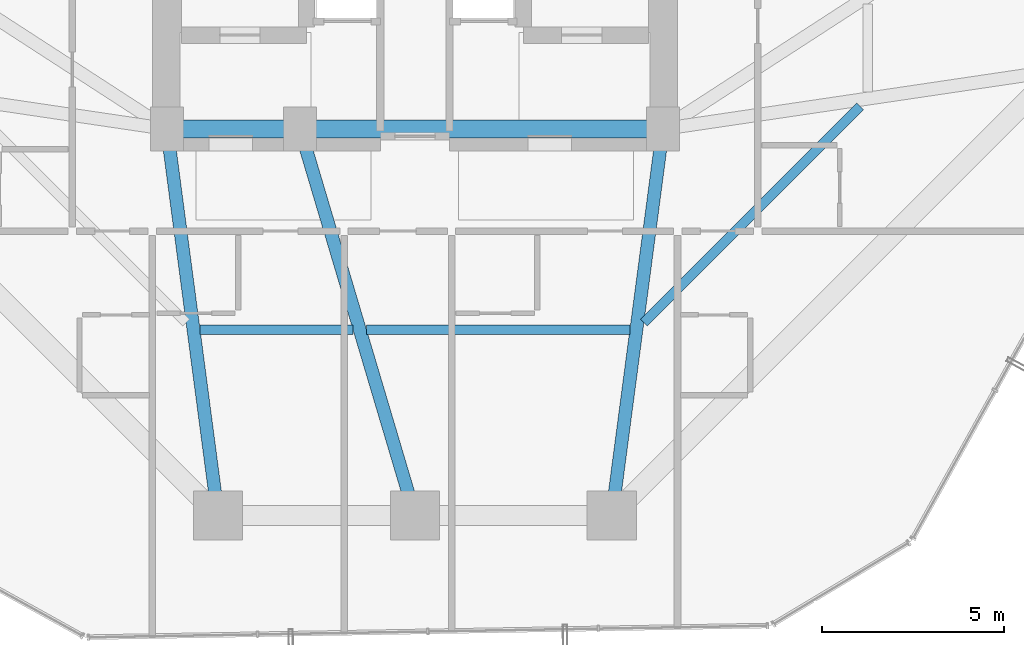
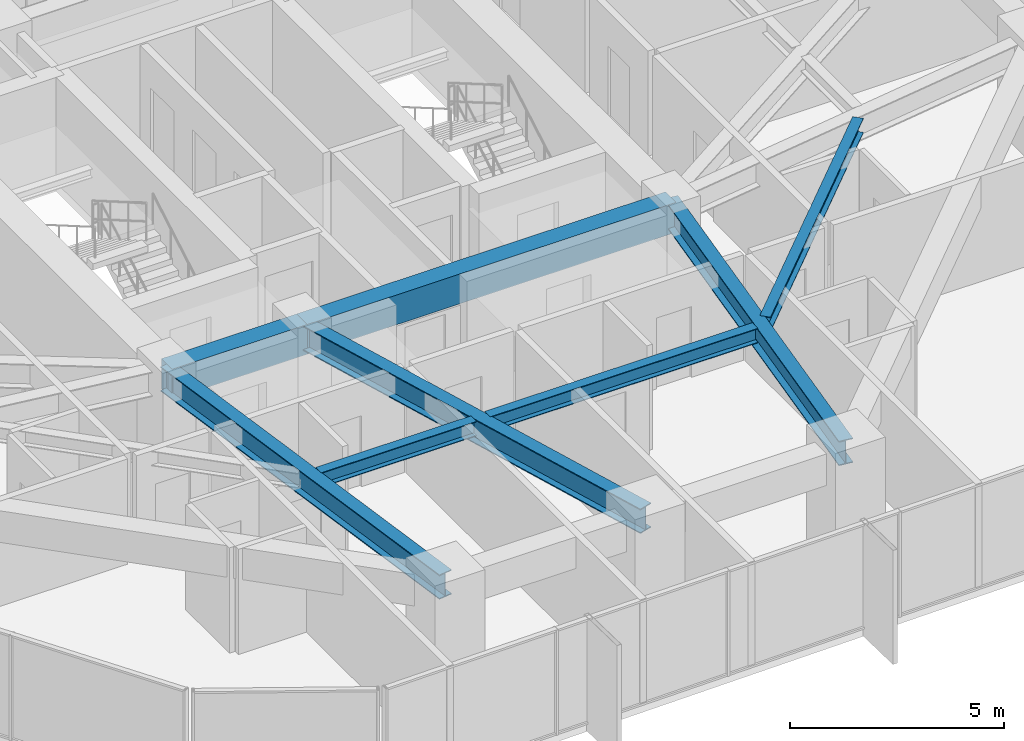
# One storey, part 9 of 39: 8 beams.
"""IFC4 building model written with IfcOpenShell, lengths in metres."""

from ifc_helpers import new_model, si_unit, direction, frame, origin, origin_2d, place, context, subcontext, project, spatial, rectangle, i_section, extrude, material, material_profile, profile_set, type_object, element, save


model = new_model("IFC4")

# Units and contexts
model_context = context("Model", 3, precision=1e-05, world=origin(), true_north=direction((0.0, 1.0)))
body_context = subcontext(model_context, "Body", "Model", "MODEL_VIEW")
ifc_project = project(units=[si_unit("LENGTHUNIT", "METRE"), si_unit("AREAUNIT", "SQUARE_METRE"), si_unit("VOLUMEUNIT", "CUBIC_METRE"), si_unit("PLANEANGLEUNIT", "RADIAN"), si_unit("MASSUNIT", "GRAM", prefix="KILO")], contexts=[model_context])

# Site, building, storey
site_placement = place(None, origin())
site = spatial("IfcSite", under=ifc_project, at=site_placement, CompositionType="ELEMENT")
building_placement = place(site_placement, origin())
building = spatial("IfcBuilding", under=site, at=building_placement, Name="Veraguas Prism Commons", CompositionType="ELEMENT")
storey_placement = place(building_placement, frame((0.0, 0.0, 27.300048828125)))
storey = spatial("IfcBuildingStorey", under=building, at=storey_placement, Name="L06", CompositionType="ELEMENT", Elevation=27.300048828125)

# Beams
ifc_material_1 = material(Name="Concrete C50/60", Category="concrete")
ifc_material_profile_1 = material_profile(ifc_material_1, rectangle(XDim=0.5, YDim=0.85009765625, at=origin_2d()), Name="RC500X850")
ifc_profile_set_1 = profile_set([ifc_material_profile_1], Name="Concrete C50/60")
beam_type_1 = type_object("IfcBeamType", Name="Core Coupling Beam RC 500x850", PredefinedType="BEAM", material=ifc_profile_set_1)
beam_1_placement = place(storey_placement, frame((17.199951171875, 17.0, 2.574951171875), z_axis=(1.0, 0.0, 0.0), x_axis=(0.0, 1.0, 0.0)))
element("IfcBeam", 1, at=beam_1_placement, inside=storey, type_object=beam_type_1, Name="Core Coupling Beam L06-CRS1", PredefinedType="BEAM", context=body_context, shape_type="SweptSolid", body=[
    extrude(rectangle(XDim=0.5, YDim=0.85009765625, at=origin_2d()), origin(), (0.0, 0.0, 1.0), 3.650146484375),
])
beam_2_placement = place(storey_placement, frame((20.85009765625, 17.0, 2.574951171875), z_axis=(1.0, 0.0, 0.0), x_axis=(0.0, 1.0, 0.0)))
element("IfcBeam", 2, at=beam_2_placement, inside=storey, type_object=beam_type_1, Name="Core Coupling Beam L06-CRS2", PredefinedType="BEAM", context=body_context, shape_type="SweptSolid", body=[
    extrude(rectangle(XDim=0.5, YDim=0.85009765625, at=origin_2d()), origin(), (0.0, 0.0, 1.0), 9.949951171875),
])
ifc_material_2 = material(Name="Steel ASTM A992 Grade 50", Category="steel")
ifc_material_profile_2 = material_profile(ifc_material_2, i_section(OverallWidth=0.260986328125, OverallDepth=0.419921875, WebThickness=0.01171875, FlangeThickness=0.019287109375, at=origin_2d()), Name="W410X114")
ifc_profile_set_2 = profile_set([ifc_material_profile_2], Name="Steel ASTM A992 Grade 50")
beam_type_2 = type_object("IfcBeamType", Name="Lower Floor Joist W410x114", PredefinedType="JOIST", material=ifc_profile_set_2)
beam_3_placement = place(storey_placement, frame((18.10546875, 11.488037109375, 2.7900390625), z_axis=(1.0, 0.0, 0.0), x_axis=(0.0, 1.0, 0.0)))
element("IfcBeam", 3, at=beam_3_placement, inside=storey, type_object=beam_type_2, Name="Composite Floor Joist L06-JS10", PredefinedType="JOIST", context=body_context, shape_type="SweptSolid", body=[
    extrude(i_section(OverallWidth=0.260986328125, OverallDepth=0.419921875, WebThickness=0.01171875, FlangeThickness=0.019287109375, at=origin_2d()), origin(), (0.0, 0.0, 1.0), 4.198974609375),
])
beam_4_placement = place(storey_placement, frame((22.671630859375, 11.488037109375, 2.7900390625), z_axis=(1.0, 0.0, 0.0), x_axis=(0.0, 1.0, 0.0)))
element("IfcBeam", 4, at=beam_4_placement, inside=storey, type_object=beam_type_2, Name="Composite Floor Joist L06-JS11", PredefinedType="JOIST", context=body_context, shape_type="SweptSolid", body=[
    extrude(i_section(OverallWidth=0.260986328125, OverallDepth=0.419921875, WebThickness=0.01171875, FlangeThickness=0.019287109375, at=origin_2d()), origin(), (0.0, 0.0, 1.0), 7.222900390625),
])
beam_5_placement = place(storey_placement, frame((30.276611328125, 11.6923828125, 2.7900390625), z_axis=(0.707092226423, 0.70712133565, 0.0), x_axis=(-0.70712133565, 0.707092226423, 0.0)))
element("IfcBeam", 5, at=beam_5_placement, inside=storey, type_object=beam_type_2, Name="Composite Floor Joist L06-JS12", PredefinedType="JOIST", context=body_context, shape_type="SweptSolid", body=[
    extrude(i_section(OverallWidth=0.260986328125, OverallDepth=0.419921875, WebThickness=0.01171875, FlangeThickness=0.019287109375, at=origin_2d()), origin(), (0.0, 0.0, 1.0), 8.386962890625),
])
ifc_material_profile_3 = material_profile(ifc_material_2, i_section(OverallWidth=0.35595703125, OverallDepth=0.700927734375, WebThickness=0.016845703125, FlangeThickness=0.02734375, at=origin_2d()), Name="W690X240")
ifc_profile_set_3 = profile_set([ifc_material_profile_3], Name="Steel ASTM A992 Grade 50")
beam_type_3 = type_object("IfcBeamType", Name="Zone 1 Radial Girder W690x240", PredefinedType="BEAM", material=ifc_profile_set_3)
beam_6_placement = place(storey_placement, frame((18.60009765625, 6.39990234375, 2.6494140625), z_axis=(-0.130950648891, 0.991388888154, 0.0), x_axis=(-0.991388888154, -0.130950648891, 0.0)))
element("IfcBeam", 6, at=beam_6_placement, inside=storey, type_object=beam_type_3, Name="Radial Floor Girder L06-RD10", PredefinedType="BEAM", context=body_context, shape_type="SweptSolid", body=[
    extrude(i_section(OverallWidth=0.35595703125, OverallDepth=0.700927734375, WebThickness=0.016845703125, FlangeThickness=0.02734375, at=origin_2d()), origin(), (0.0, 0.0, 1.0), 10.692138671875),
])
beam_7_placement = place(storey_placement, frame((24.0, 6.39990234375, 2.6494140625), z_axis=(-0.28484745997, 0.958572858237, 0.0), x_axis=(-0.958572858237, -0.28484745997, 0.0)))
element("IfcBeam", 7, at=beam_7_placement, inside=storey, type_object=beam_type_3, Name="Radial Floor Girder L06-RD11", PredefinedType="BEAM", context=body_context, shape_type="SweptSolid", body=[
    extrude(i_section(OverallWidth=0.35595703125, OverallDepth=0.700927734375, WebThickness=0.016845703125, FlangeThickness=0.02734375, at=origin_2d()), origin(), (0.0, 0.0, 1.0), 11.05810546875),
])
beam_8_placement = place(storey_placement, frame((29.39990234375, 6.39990234375, 2.6494140625), z_axis=(0.130950648891, 0.991388888154, 0.0), x_axis=(-0.991388888154, 0.130950648891, 0.0)))
element("IfcBeam", 8, at=beam_8_placement, inside=storey, type_object=beam_type_3, Name="Radial Floor Girder L06-RD12", PredefinedType="BEAM", context=body_context, shape_type="SweptSolid", body=[
    extrude(i_section(OverallWidth=0.35595703125, OverallDepth=0.700927734375, WebThickness=0.016845703125, FlangeThickness=0.02734375, at=origin_2d()), origin(), (0.0, 0.0, 1.0), 10.692138671875),
])

save(model, "model.ifc")
